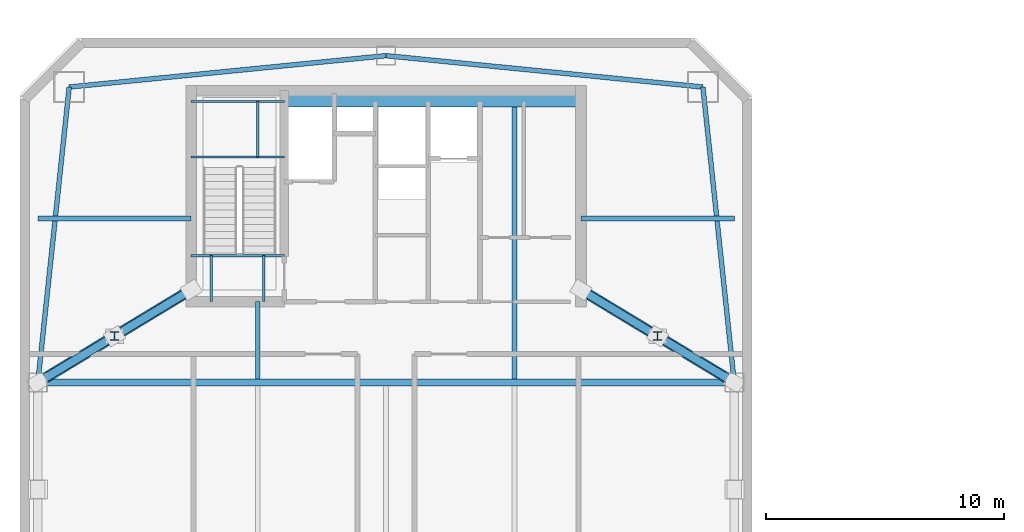
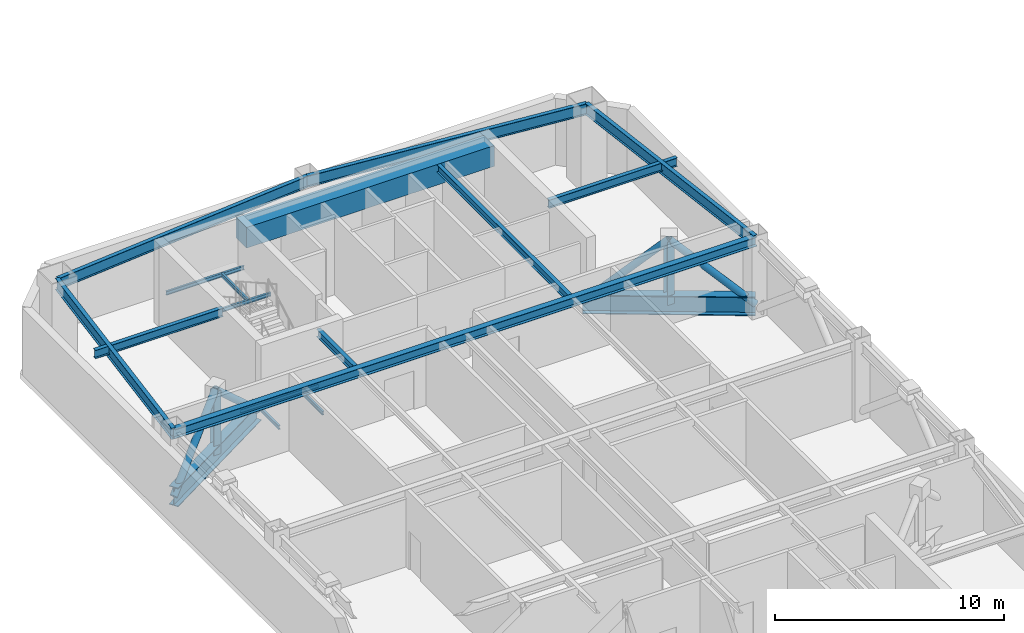
# One storey, part 5 of 17: 18 beams, 6 members.
"""IFC4 building model written with IfcOpenShell, lengths in metres."""

from ifc_helpers import new_model, si_unit, direction, frame, origin, origin_2d, place, context, subcontext, project, spatial, rectangle, hollow_circle, i_section, extrude, material, material_profile, profile_set, type_object, element, save


model = new_model("IFC4")

# Units and contexts
model_context = context("Model", 3, precision=1e-05, world=origin(), true_north=direction((0.0, 1.0)))
body_context = subcontext(model_context, "Body", "Model", "MODEL_VIEW")
ifc_project = project(units=[si_unit("LENGTHUNIT", "METRE"), si_unit("AREAUNIT", "SQUARE_METRE"), si_unit("VOLUMEUNIT", "CUBIC_METRE"), si_unit("PLANEANGLEUNIT", "RADIAN"), si_unit("MASSUNIT", "GRAM", prefix="KILO")], contexts=[model_context])

# Site, building, storey
site_placement = place(None, origin())
site = spatial("IfcSite", under=ifc_project, at=site_placement, CompositionType="ELEMENT")
building_placement = place(site_placement, origin())
building = spatial("IfcBuilding", under=site, at=building_placement, Name="Qiaolan Cultural Towers", CompositionType="ELEMENT")
storey_placement = place(building_placement, frame((0.0, 0.0, 230.0)))
storey = spatial("IfcBuildingStorey", under=building, at=storey_placement, Name="L62", CompositionType="ELEMENT", Elevation=230.0)

# Beams
ifc_material_1 = material(Name="Steel Q390GJB", Category="steel")
ifc_material_profile_1 = material_profile(ifc_material_1, i_section(OverallWidth=0.449951171875, OverallDepth=1.0, WebThickness=0.02392578125, FlangeThickness=0.0400390625, at=origin_2d()), Name="BH1000x450x24x40")
ifc_profile_set_1 = profile_set([ifc_material_profile_1], Name="Steel Q390GJB")
beam_type_1 = type_object("IfcBeamType", Name="BM-BH1000x450x24x40", PredefinedType="BEAM", material=ifc_profile_set_1)
for number, where, z_axis, x_axis, name in (
    (1, (21.800048828125, 46.89990234375, 0.5), (-0.855735985919, -0.517412719599, 0.0), (0.517412719599, -0.855735985919, 0.0), "L62 T1 Outrigger Bottom Chord Girder WN"),
    (2, (38.199951171875, 46.89990234375, 0.5), (0.855735985919, -0.517412719599, 0.0), (0.517412719599, 0.855735985919, 0.0), "L62 T1 Outrigger Bottom Chord Girder EN"),
):
    element("IfcBeam", number, at=place(storey_placement, frame(where, z_axis=z_axis, x_axis=x_axis)), inside=storey, type_object=beam_type_1, Name=name, PredefinedType="BEAM", context=body_context, shape_type="SweptSolid", body=[
        extrude(i_section(OverallWidth=0.449951171875, OverallDepth=1.0, WebThickness=0.02392578125, FlangeThickness=0.0400390625, at=origin_2d()), origin(), (0.0, 0.0, 1.0), 7.537353515625),
    ])
ifc_material_2 = material(Name="Steel Q355B", Category="steel")
ifc_material_profile_2 = material_profile(ifc_material_2, i_section(OverallWidth=0.300048828125, OverallDepth=0.488037109375, WebThickness=0.010986328125, FlangeThickness=0.01806640625, at=origin_2d()), Name="HM488x300x11x18")
ifc_profile_set_2 = profile_set([ifc_material_profile_2], Name="Steel Q355B")
beam_type_2 = type_object("IfcBeamType", Name="BM-HM488x300x11x18", PredefinedType="BEAM", material=ifc_profile_set_2)
beam_1_placement = place(storey_placement, frame((15.35009765625, 43.0, 3.89599609375), z_axis=(1.0, 0.0, 0.0), x_axis=(0.0, 1.0, 0.0)))
element("IfcBeam", 3, at=beam_1_placement, inside=storey, type_object=beam_type_2, Name="L62 T1 Primary Transverse Girder V3", PredefinedType="BEAM", context=body_context, shape_type="SweptSolid", body=[
    extrude(i_section(OverallWidth=0.300048828125, OverallDepth=0.488037109375, WebThickness=0.010986328125, FlangeThickness=0.01806640625, at=origin_2d()), origin(), (0.0, 0.0, 1.0), 29.2998046875),
])
ifc_material_3 = material(Name="Steel Q355B", Category="steel")
ifc_material_profile_3 = material_profile(ifc_material_3, i_section(OverallWidth=0.199951171875, OverallDepth=0.39990234375, WebThickness=0.008056640625, FlangeThickness=0.012939453125, at=origin_2d()), Name="HN400x200x8x13")
ifc_profile_set_3 = profile_set([ifc_material_profile_3], Name="Steel Q355B")
beam_type_3 = type_object("IfcBeamType", Name="BM-JST-HN400x200x8x13", PredefinedType="JOIST", material=ifc_profile_set_3)
beam_2_placement = place(storey_placement, frame((24.60009765625, 43.14990234375, 3.93994140625), z_axis=(0.0, 1.0, 0.0), x_axis=(-1.0, 0.0, 0.0)))
element("IfcBeam", 4, at=beam_2_placement, inside=storey, type_object=beam_type_3, Name="L62 T1 Secondary Floor Joist U1-4", PredefinedType="JOIST", context=body_context, shape_type="SweptSolid", body=[
    extrude(i_section(OverallWidth=0.199951171875, OverallDepth=0.39990234375, WebThickness=0.008056640625, FlangeThickness=0.012939453125, at=origin_2d()), origin(), (0.0, 0.0, 1.0), 3.25),
])
beam_3_placement = place(storey_placement, frame((35.39990234375, 43.14990234375, 3.93994140625), z_axis=(0.0, 1.0, 0.0), x_axis=(-1.0, 0.0, 0.0)))
element("IfcBeam", 5, at=beam_3_placement, inside=storey, type_object=beam_type_3, Name="L62 T1 Secondary Floor Joist U3-4", PredefinedType="JOIST", context=body_context, shape_type="SweptSolid", body=[
    extrude(i_section(OverallWidth=0.199951171875, OverallDepth=0.39990234375, WebThickness=0.008056640625, FlangeThickness=0.012939453125, at=origin_2d()), origin(), (0.0, 0.0, 1.0), 11.4501953125),
])
ifc_material_4 = material(Name="Steel Q355B", Category="steel")
ifc_material_profile_4 = material_profile(ifc_material_4, i_section(OverallWidth=0.199951171875, OverallDepth=0.449951171875, WebThickness=0.009033203125, FlangeThickness=0.013916015625, at=origin_2d()), Name="HN450x200x9x14")
ifc_profile_set_4 = profile_set([ifc_material_profile_4], Name="Steel Q355B")
beam_type_4 = type_object("IfcBeamType", Name="BM-LNT-HN450x200x9x14", PredefinedType="LINTEL", material=ifc_profile_set_4)
for number, where, z_axis, x_axis, name in (
    (6, (21.800048828125, 49.89990234375, 3.9150390625), (-1.0, 0.0, 0.0), (0.0, -1.0, 0.0), "L62 T1 Core Flank Tie Lintel WN"),
    (7, (38.199951171875, 49.89990234375, 3.9150390625), (1.0, 0.0, 0.0), (0.0, 1.0, 0.0), "L62 T1 Core Flank Tie Lintel EN"),
):
    element("IfcBeam", number, at=place(storey_placement, frame(where, z_axis=z_axis, x_axis=x_axis)), inside=storey, type_object=beam_type_4, Name=name, PredefinedType="LINTEL", context=body_context, shape_type="SweptSolid", body=[
        extrude(i_section(OverallWidth=0.199951171875, OverallDepth=0.449951171875, WebThickness=0.009033203125, FlangeThickness=0.013916015625, at=origin_2d()), origin(), (0.0, 0.0, 1.0), 6.449951171875),
    ])
ifc_material_5 = material(Name="Concrete C50", Category="concrete")
ifc_material_profile_5 = material_profile(ifc_material_5, rectangle(XDim=0.89990234375, YDim=1.10009765625, at=origin_2d()), Name="RC900x1100")
ifc_profile_set_5 = profile_set([ifc_material_profile_5], Name="Concrete C50")
beam_type_5 = type_object("IfcBeamType", Name="BM-RC900x1100", PredefinedType="BEAM", material=ifc_profile_set_5)
beam_4_placement = place(storey_placement, frame((25.719970703125, 55.050048828125, 3.590087890625), z_axis=(1.0, 0.0, 0.0), x_axis=(0.0, 1.0, 0.0)))
element("IfcBeam", 8, at=beam_4_placement, inside=storey, type_object=beam_type_5, Name="L62 T1 Core Header Girder N", PredefinedType="BEAM", context=body_context, shape_type="SweptSolid", body=[
    extrude(rectangle(XDim=0.89990234375, YDim=1.10009765625, at=origin_2d()), origin(), (0.0, 0.0, 1.0), 12.47998046875),
])
ifc_material_6 = material(Name="Steel Q355B", Category="steel")
ifc_material_profile_6 = material_profile(ifc_material_6, i_section(OverallWidth=0.199951171875, OverallDepth=0.60009765625, WebThickness=0.010986328125, FlangeThickness=0.01708984375, at=origin_2d()), Name="HN600x200x11x17")
ifc_profile_set_6 = profile_set([ifc_material_profile_6], Name="Steel Q355B")
beam_type_6 = type_object("IfcBeamType", Name="BM-SPD-HN600x200x11x17", PredefinedType="SPANDREL", material=ifc_profile_set_6)
beam_5_placement = place(storey_placement, frame((44.64990234375, 43.0, 3.840087890625), z_axis=(-0.105587580773, 0.994410007384, 0.0), x_axis=(-0.994410007384, -0.105587580773, 0.0)))
element("IfcBeam", 9, at=beam_5_placement, inside=storey, type_object=beam_type_6, Name="L62 T1 Perimeter Spandrel Beam 6", PredefinedType="SPANDREL", context=body_context, shape_type="SweptSolid", body=[
    extrude(i_section(OverallWidth=0.199951171875, OverallDepth=0.60009765625, WebThickness=0.010986328125, FlangeThickness=0.01708984375, at=origin_2d()), origin(), (0.0, 0.0, 1.0), 12.499755859375),
])
for number, where, z_axis, x_axis, name in (
    (10, (43.330078125, 55.429931640625, 3.840087890625), (-0.995132371263, 0.098547266143, 0.0), (-0.098547266143, -0.995132371263, 0.0), "L62 T1 Perimeter Spandrel Beam 7"),
    (11, (30.0, 56.75, 3.840087890625), (-0.995132371263, -0.098547266143, 0.0), (0.098547266143, -0.995132371263, 0.0), "L62 T1 Perimeter Spandrel Beam 8"),
):
    element("IfcBeam", number, at=place(storey_placement, frame(where, z_axis=z_axis, x_axis=x_axis)), inside=storey, type_object=beam_type_6, Name=name, PredefinedType="SPANDREL", context=body_context, shape_type="SweptSolid", body=[
        extrude(i_section(OverallWidth=0.199951171875, OverallDepth=0.60009765625, WebThickness=0.010986328125, FlangeThickness=0.01708984375, at=origin_2d()), origin(), (0.0, 0.0, 1.0), 13.395263671875),
    ])
beam_6_placement = place(storey_placement, frame((16.669921875, 55.429931640625, 3.840087890625), z_axis=(-0.105587580773, -0.994410007384, 0.0), x_axis=(0.994410007384, -0.105587580773, 0.0)))
element("IfcBeam", 12, at=beam_6_placement, inside=storey, type_object=beam_type_6, Name="L62 T1 Perimeter Spandrel Beam 9", PredefinedType="SPANDREL", context=body_context, shape_type="SweptSolid", body=[
    extrude(i_section(OverallWidth=0.199951171875, OverallDepth=0.60009765625, WebThickness=0.010986328125, FlangeThickness=0.01708984375, at=origin_2d()), origin(), (0.0, 0.0, 1.0), 12.499755859375),
])
ifc_material_7 = material(Name="Steel Q355B", Category="steel")
ifc_material_profile_7 = material_profile(ifc_material_7, i_section(OverallWidth=0.10009765625, OverallDepth=0.199951171875, WebThickness=0.005615234375, FlangeThickness=0.008056640625, at=origin_2d()), Name="HN200x100x5.5x8")
ifc_profile_set_7 = profile_set([ifc_material_profile_7], Name="Steel Q355B")
beam_type_7 = type_object("IfcBeamType", Name="BM-STTRIM-200", PredefinedType="BEAM", material=ifc_profile_set_7)
beam_7_placement = place(storey_placement, frame((21.800048828125, 48.340087890625, -0.4599609375), z_axis=(1.0, 0.0, 0.0), x_axis=(0.0, 1.0, 0.0)))
element("IfcBeam", 13, at=beam_7_placement, inside=storey, type_object=beam_type_7, Name="L62 ST-W2 Floor Landing Header Beam", PredefinedType="BEAM", context=body_context, shape_type="SweptSolid", body=[
    extrude(i_section(OverallWidth=0.10009765625, OverallDepth=0.199951171875, WebThickness=0.005615234375, FlangeThickness=0.008056640625, at=origin_2d()), origin(), (0.0, 0.0, 1.0), 3.919921875),
])
for number, where, z_axis, x_axis, name in (
    (14, (22.64990234375, 46.39990234375, -0.4599609375), (0.0, 1.0, 0.0), (-1.0, 0.0, 0.0), "L62 ST-W2 Floor Landing Stringer 1"),
    (15, (24.85009765625, 46.39990234375, -0.4599609375), (0.0, 1.0, 0.0), (-1.0, 0.0, 0.0), "L62 ST-W2 Floor Landing Stringer 2"),
):
    element("IfcBeam", number, at=place(storey_placement, frame(where, z_axis=z_axis, x_axis=x_axis)), inside=storey, type_object=beam_type_7, Name=name, PredefinedType="BEAM", context=body_context, shape_type="SweptSolid", body=[
        extrude(i_section(OverallWidth=0.10009765625, OverallDepth=0.199951171875, WebThickness=0.005615234375, FlangeThickness=0.008056640625, at=origin_2d()), origin(), (0.0, 0.0, 1.0), 1.940185546875),
    ])
for number, where, z_axis, x_axis, name in (
    (16, (21.800048828125, 52.48876953125, 1.89990234375), (1.0, 0.0, 0.0), (0.0, 1.0, 0.0), "L62 ST-W2 Stair Landing Support Beam 1-1"),
    (17, (21.800048828125, 54.820068359375, 1.89990234375), (1.0, 0.0, 0.0), (0.0, 1.0, 0.0), "L62 ST-W2 Stair Landing Support Beam 1-2"),
):
    element("IfcBeam", number, at=place(storey_placement, frame(where, z_axis=z_axis, x_axis=x_axis)), inside=storey, type_object=beam_type_7, Name=name, PredefinedType="BEAM", context=body_context, shape_type="SweptSolid", body=[
        extrude(i_section(OverallWidth=0.10009765625, OverallDepth=0.199951171875, WebThickness=0.005615234375, FlangeThickness=0.008056640625, at=origin_2d()), origin(), (0.0, 0.0, 1.0), 3.919921875),
    ])
beam_8_placement = place(storey_placement, frame((24.610107421875, 52.48876953125, 1.89990234375), z_axis=(0.0, 1.0, 0.0), x_axis=(-1.0, 0.0, 0.0)))
element("IfcBeam", 18, at=beam_8_placement, inside=storey, type_object=beam_type_7, Name="L62 ST-W2 Stair Landing Trimmer 1", PredefinedType="BEAM", context=body_context, shape_type="SweptSolid", body=[
    extrude(i_section(OverallWidth=0.10009765625, OverallDepth=0.199951171875, WebThickness=0.005615234375, FlangeThickness=0.008056640625, at=origin_2d()), origin(), (0.0, 0.0, 1.0), 2.331298828125),
])

# Members
ifc_material_8 = material(Name="Steel Q355B", Category="steel")
ifc_material_profile_8 = material_profile(ifc_material_8, hollow_circle(Radius=0.175537109375, WallThickness=0.01611328125, at=origin_2d()), Name="CHS351x16")
ifc_profile_set_8 = profile_set([ifc_material_profile_8], Name="Steel Q355B")
member_type_1 = type_object("IfcMemberType", Name="MBR-BRC-CHS351x16", PredefinedType="BRACE", material=ifc_profile_set_8)
for number, where, z_axis, x_axis, name in (
    (19, (21.800048828125, 46.89990234375, 0.5), (-0.637077878713, -0.385188570574, 0.667653758736), (0.517398378234, -0.855744657127, 0.0), "L62 T1 Outrigger Truss Diagonal WN-1"),
    (20, (18.574951171875, 44.949951171875, 3.8798828125), (-0.637049224235, -0.385200405327, -0.66767427211), (0.517427061613, -0.855727313991, 0.0), "L62 T1 Outrigger Truss Diagonal WN-2"),
    (21, (38.199951171875, 46.89990234375, 0.5), (0.637077878713, -0.385188570574, 0.667653758736), (0.517398378234, 0.855744657127, 0.0), "L62 T1 Outrigger Truss Diagonal EN-1"),
    (22, (41.425048828125, 44.949951171875, 3.8798828125), (0.637049224235, -0.385200405327, -0.66767427211), (0.517427061613, 0.855727313991, 0.0), "L62 T1 Outrigger Truss Diagonal EN-2"),
):
    element("IfcMember", number, at=place(storey_placement, frame(where, z_axis=z_axis, x_axis=x_axis)), inside=storey, type_object=member_type_1, Name=name, PredefinedType="BRACE", context=body_context, shape_type="SweptSolid", body=[
        extrude(hollow_circle(Radius=0.175537109375, WallThickness=0.01611328125, at=origin_2d()), origin(), (0.0, 0.0, 1.0), 5.062255859375),
    ])
ifc_material_9 = material(Name="Steel Q355B", Category="steel")
ifc_material_profile_9 = material_profile(ifc_material_9, i_section(OverallWidth=0.35009765625, OverallDepth=0.35009765625, WebThickness=0.011962890625, FlangeThickness=0.01904296875, at=origin_2d()), Name="HW350x350x12x19")
ifc_profile_set_9 = profile_set([ifc_material_profile_9], Name="Steel Q355B")
member_type_2 = type_object("IfcMemberType", Name="MBR-POST-HW350x350x12x19", PredefinedType="STUD", material=ifc_profile_set_9)
for number, where, z_axis, x_axis, name in (
    (23, (18.574951171875, 44.949951171875, 0.5), (0.0, 0.0, 1.0), (1.0, 0.0, 0.0), "L62 T1 Outrigger King Web WN"),
    (24, (41.425048828125, 44.949951171875, 0.5), (0.0, 0.0, 1.0), (1.0, 0.0, 0.0), "L62 T1 Outrigger King Web EN"),
):
    element("IfcMember", number, at=place(storey_placement, frame(where, z_axis=z_axis, x_axis=x_axis)), inside=storey, type_object=member_type_2, Name=name, PredefinedType="STUD", context=body_context, shape_type="SweptSolid", body=[
        extrude(i_section(OverallWidth=0.35009765625, OverallDepth=0.35009765625, WebThickness=0.011962890625, FlangeThickness=0.01904296875, at=origin_2d()), origin(), (0.0, 0.0, 1.0), 3.3798828125),
    ])

save(model, "model.ifc")
